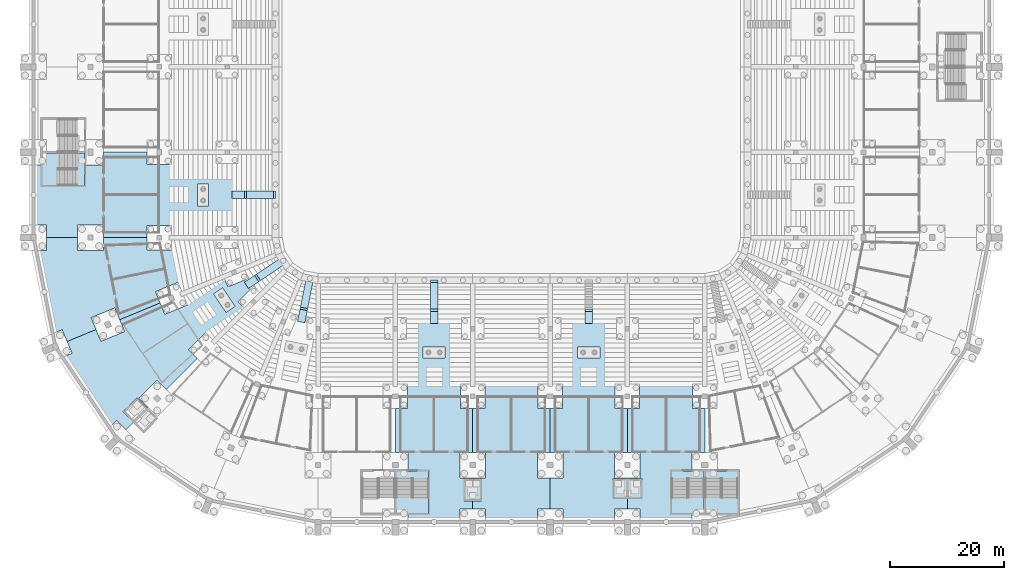
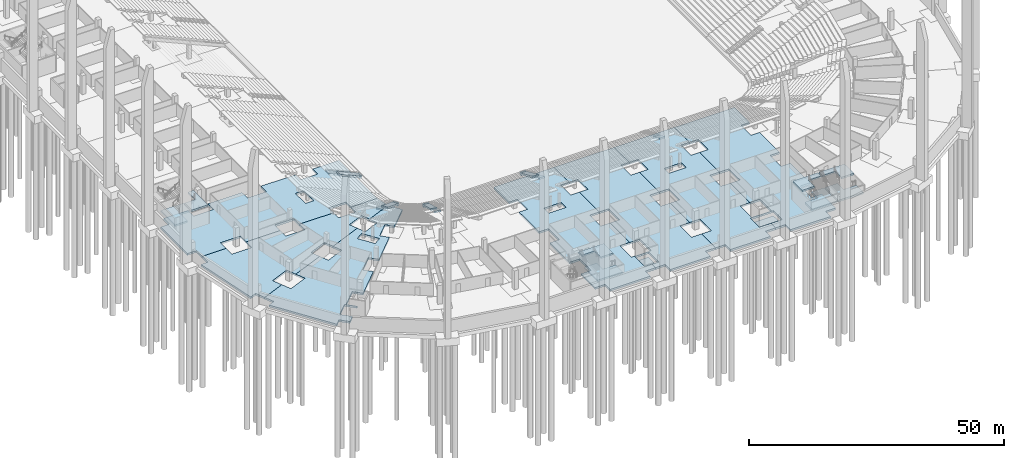
# One storey, part 16 of 115: 26 slabs, 4 elements without a shape of their own.
"""IFC4 building model written with IfcOpenShell, lengths in metres."""

from ifc_helpers import new_model, si_unit, direction, frame, origin, place, context, subcontext, project, spatial, polyline, outline, extrude, material, layer, layer_set, type_object, element, aggregate, save


model = new_model("IFC4")

# Units and contexts
model_context = context("Model", 3, precision=1e-05, world=origin(), true_north=direction((0.0, 1.0)))
body_context = subcontext(model_context, "Body", "Model", "MODEL_VIEW")
ifc_project = project(units=[si_unit("LENGTHUNIT", "METRE"), si_unit("AREAUNIT", "SQUARE_METRE"), si_unit("VOLUMEUNIT", "CUBIC_METRE"), si_unit("PLANEANGLEUNIT", "RADIAN"), si_unit("MASSUNIT", "GRAM", prefix="KILO")], contexts=[model_context])

# Site, building, storey
site_placement = place(None, origin())
site = spatial("IfcSite", under=ifc_project, at=site_placement, CompositionType="ELEMENT")
building_placement = place(site_placement, origin())
building = spatial("IfcBuilding", under=site, at=building_placement, Name="Ogive Plaza Stadium", CompositionType="ELEMENT")
storey_placement = place(building_placement, frame((0.0, 0.0, -4.5)))
storey = spatial("IfcBuildingStorey", under=building, at=storey_placement, Name="B1", CompositionType="ELEMENT", Elevation=-4.5)

# Slabs
ifc_material_1 = material(Name="Concrete C40/50", Category="concrete")
ifc_layer_1 = layer(ifc_material_1, 0.5380859375)
ifc_layer_set_1 = layer_set([ifc_layer_1], Name="Concrete C40/50")
ifc_layer_2 = layer(ifc_material_1, 0.449951171875)
ifc_layer_set_2 = layer_set([ifc_layer_2], Name="Concrete C40/50")
slab_type_1 = type_object("IfcSlabType", Name="Aisle stair slab 1300", PredefinedType="USERDEFINED", material=ifc_layer_set_2)
slab_1_placement = place(storey_placement, frame((13.60009765625, -65.10009765625, 4.5), z_axis=(0.0, 0.0, 1.0), x_axis=(0.0, -1.0, 0.0)))
element("IfcSlab", 1, at=slab_1_placement, inside=storey, type_object=slab_type_1, material=ifc_layer_set_1, Name="Aisle stair SA13D slab 2", ObjectType="AISLE STAIR SLAB", PredefinedType="USERDEFINED", context=body_context, shape_type="SweptSolid", body=[
    extrude(outline(polyline([(0.0, -1.125), (0.37158203125, -1.125), (2.550048828125, -0.163818359375), (2.550048828125, -0.574951171875), (2.39990234375, -0.64111328125), (2.25, -0.70751953125), (2.10009765625, -0.7734375), (1.949951171875, -0.839599609375), (1.800048828125, -0.906005859375), (1.64990234375, -0.97216796875), (1.5, -1.0380859375), (1.35009765625, -1.1044921875), (1.199951171875, -1.170654296875), (1.050048828125, -1.23681640625), (0.89990234375, -1.302978515625), (0.75, -1.369140625), (0.60009765625, -1.435302734375), (0.449951171875, -1.50146484375), (0.300048828125, -1.567626953125), (0.14990234375, -1.6337890625), (0.0, -1.699951171875), (0.0, -1.125)])), frame((0.0, 0.64990234375, 0.0), z_axis=(0.0, -1.0, 0.0), x_axis=(1.0, 0.0, 0.0)), (0.0, 0.0, 1.0), 1.300048828125),
])
ifc_layer_3 = layer(ifc_material_1, 0.75927734375)
ifc_layer_set_3 = layer_set([ifc_layer_3], Name="Concrete C40/50")
slab_2_placement = place(storey_placement, frame((-13.60009765625, -60.0, 4.5), z_axis=(0.0, 0.0, 1.0), x_axis=(0.0, -1.0, 0.0)))
element("IfcSlab", 2, at=slab_2_placement, inside=storey, type_object=slab_type_1, material=ifc_layer_set_3, Name="Aisle stair SA15D slab 1", ObjectType="AISLE STAIR SLAB", PredefinedType="USERDEFINED", context=body_context, shape_type="SweptSolid", body=[
    extrude(outline(polyline([(0.0, -3.375), (0.37158203125, -3.375), (5.10009765625, -1.288818359375), (5.10009765625, -1.699951171875), (5.01220703125, -1.73876953125), (4.8623046875, -1.804931640625), (4.71240234375, -1.87109375), (4.562255859375, -1.937255859375), (4.412353515625, -2.00341796875), (4.26220703125, -2.069580078125), (4.1123046875, -2.1357421875), (3.96240234375, -2.201904296875), (3.812255859375, -2.26806640625), (3.662353515625, -2.334228515625), (3.51220703125, -2.400390625), (3.3623046875, -2.466552734375), (3.21240234375, -2.53271484375), (3.062255859375, -2.59912109375), (2.912353515625, -2.665283203125), (2.76220703125, -2.731201171875), (2.6123046875, -2.797607421875), (2.46240234375, -2.86376953125), (2.312255859375, -2.929931640625), (2.162353515625, -2.99609375), (2.01220703125, -3.062255859375), (1.8623046875, -3.12841796875), (1.71240234375, -3.194580078125), (1.562255859375, -3.2607421875), (1.412353515625, -3.326904296875), (1.26220703125, -3.39306640625), (1.1123046875, -3.459228515625), (0.96240234375, -3.525390625), (0.812255859375, -3.591552734375), (0.662353515625, -3.65771484375), (0.60009765625, -3.685302734375), (0.60009765625, -3.949951171875), (0.51220703125, -3.949951171875), (0.3623046875, -3.949951171875), (0.21240234375, -3.949951171875), (0.0, -3.375)])), frame((0.0, 0.64990234375, 0.0), z_axis=(0.0, -1.0, 0.0), x_axis=(1.0, 0.0, 0.0)), (0.0, 0.0, 1.0), 1.300048828125),
])
slab_3_placement = place(storey_placement, frame((-13.60009765625, -65.10009765625, 4.5), z_axis=(0.0, 0.0, 1.0), x_axis=(0.0, -1.0, 0.0)))
element("IfcSlab", 3, at=slab_3_placement, inside=storey, type_object=slab_type_1, material=ifc_layer_set_1, Name="Aisle stair SA15D slab 2", ObjectType="AISLE STAIR SLAB", PredefinedType="USERDEFINED", context=body_context, shape_type="SweptSolid", body=[
    extrude(outline(polyline([(0.0, -1.125), (0.37158203125, -1.125), (2.550048828125, -0.163818359375), (2.550048828125, -0.574951171875), (2.39990234375, -0.64111328125), (2.25, -0.70751953125), (2.10009765625, -0.7734375), (1.949951171875, -0.839599609375), (1.800048828125, -0.906005859375), (1.64990234375, -0.97216796875), (1.5, -1.0380859375), (1.35009765625, -1.1044921875), (1.199951171875, -1.170654296875), (1.050048828125, -1.23681640625), (0.89990234375, -1.302978515625), (0.75, -1.369140625), (0.60009765625, -1.435302734375), (0.449951171875, -1.50146484375), (0.300048828125, -1.567626953125), (0.14990234375, -1.6337890625), (0.0, -1.699951171875), (0.0, -1.125)])), frame((0.0, 0.64990234375, 0.0), z_axis=(0.0, -1.0, 0.0), x_axis=(1.0, 0.0, 0.0)), (0.0, 0.0, 1.0), 1.300048828125),
])
slab_4_placement = place(storey_placement, frame((-35.463134765625, -59.85595703125, 4.5), z_axis=(0.0, 0.0, 1.0), x_axis=(-0.195090322016, -0.980785280403, 0.0)))
element("IfcSlab", 4, at=slab_4_placement, inside=storey, type_object=slab_type_1, material=ifc_layer_set_3, Name="Aisle stair SA17D slab 1", ObjectType="AISLE STAIR SLAB", PredefinedType="USERDEFINED", context=body_context, shape_type="SweptSolid", body=[
    extrude(outline(polyline([(0.0, -3.375), (0.37158203125, -3.375), (5.10009765625, -1.288818359375), (5.10009765625, -1.699951171875), (5.01220703125, -1.73876953125), (4.8623046875, -1.804931640625), (4.71240234375, -1.87109375), (4.562255859375, -1.937255859375), (4.412353515625, -2.00341796875), (4.26220703125, -2.069580078125), (4.1123046875, -2.1357421875), (3.96240234375, -2.201904296875), (3.812255859375, -2.26806640625), (3.662353515625, -2.334228515625), (3.51220703125, -2.400390625), (3.3623046875, -2.466552734375), (3.21240234375, -2.53271484375), (3.062255859375, -2.59912109375), (2.912353515625, -2.665283203125), (2.76220703125, -2.731201171875), (2.6123046875, -2.797607421875), (2.46240234375, -2.86376953125), (2.312255859375, -2.929931640625), (2.162353515625, -2.99609375), (2.01220703125, -3.062255859375), (1.8623046875, -3.12841796875), (1.71240234375, -3.194580078125), (1.562255859375, -3.2607421875), (1.412353515625, -3.326904296875), (1.26220703125, -3.39306640625), (1.1123046875, -3.459228515625), (0.96240234375, -3.525390625), (0.812255859375, -3.591552734375), (0.662353515625, -3.65771484375), (0.60009765625, -3.685302734375), (0.60009765625, -3.949951171875), (0.51220703125, -3.949951171875), (0.3623046875, -3.949951171875), (0.21240234375, -3.949951171875), (0.0, -3.375)])), frame((0.0, 0.64990234375, 0.0), z_axis=(0.0, -1.0, 0.0), x_axis=(1.0, 0.0, 0.0)), (0.0, 0.0, 1.0), 1.300048828125),
])
slab_5_placement = place(storey_placement, frame((-36.458251953125, -64.85791015625, 4.5), z_axis=(0.0, 0.0, 1.0), x_axis=(-0.195090322016, -0.980785280403, 0.0)))
element("IfcSlab", 5, at=slab_5_placement, inside=storey, type_object=slab_type_1, material=ifc_layer_set_1, Name="Aisle stair SA17D slab 2", ObjectType="AISLE STAIR SLAB", PredefinedType="USERDEFINED", context=body_context, shape_type="SweptSolid", body=[
    extrude(outline(polyline([(0.0, -1.125), (0.37158203125, -1.125), (2.550048828125, -0.163818359375), (2.550048828125, -0.574951171875), (2.39990234375, -0.64111328125), (2.25, -0.70751953125), (2.10009765625, -0.7734375), (1.949951171875, -0.839599609375), (1.800048828125, -0.906005859375), (1.64990234375, -0.97216796875), (1.5, -1.0380859375), (1.35009765625, -1.1044921875), (1.199951171875, -1.170654296875), (1.050048828125, -1.23681640625), (0.89990234375, -1.302978515625), (0.75, -1.369140625), (0.60009765625, -1.435302734375), (0.449951171875, -1.50146484375), (0.300048828125, -1.567626953125), (0.14990234375, -1.6337890625), (0.0, -1.699951171875), (0.0, -1.125)])), frame((0.0, 0.64990234375, 0.0), z_axis=(0.0, -1.0, 0.0), x_axis=(1.0, 0.0, 0.0)), (0.0, 0.0, 1.0), 1.300048828125),
])
slab_6_placement = place(storey_placement, frame((-40.236083984375, -56.666748046875, 4.5), z_axis=(0.0, 0.0, 1.0), x_axis=(-0.831469612303, -0.55557023302, 0.0)))
element("IfcSlab", 6, at=slab_6_placement, inside=storey, type_object=slab_type_1, material=ifc_layer_set_3, Name="Aisle stair SA19D slab 1", ObjectType="AISLE STAIR SLAB", PredefinedType="USERDEFINED", context=body_context, shape_type="SweptSolid", body=[
    extrude(outline(polyline([(0.0, -3.375), (0.37158203125, -3.375), (5.10009765625, -1.288818359375), (5.10009765625, -1.699951171875), (5.01220703125, -1.73876953125), (4.8623046875, -1.804931640625), (4.71240234375, -1.87109375), (4.562255859375, -1.937255859375), (4.412353515625, -2.00341796875), (4.26220703125, -2.069580078125), (4.1123046875, -2.1357421875), (3.96240234375, -2.201904296875), (3.812255859375, -2.26806640625), (3.662353515625, -2.334228515625), (3.51220703125, -2.400390625), (3.3623046875, -2.466552734375), (3.21240234375, -2.53271484375), (3.062255859375, -2.59912109375), (2.912353515625, -2.665283203125), (2.76220703125, -2.731201171875), (2.6123046875, -2.797607421875), (2.46240234375, -2.86376953125), (2.312255859375, -2.929931640625), (2.162353515625, -2.99609375), (2.01220703125, -3.062255859375), (1.8623046875, -3.12841796875), (1.71240234375, -3.194580078125), (1.562255859375, -3.2607421875), (1.412353515625, -3.326904296875), (1.26220703125, -3.39306640625), (1.1123046875, -3.459228515625), (0.96240234375, -3.525390625), (0.812255859375, -3.591552734375), (0.662353515625, -3.65771484375), (0.60009765625, -3.685302734375), (0.60009765625, -3.949951171875), (0.51220703125, -3.949951171875), (0.3623046875, -3.949951171875), (0.21240234375, -3.949951171875), (0.0, -3.375)])), frame((0.0, 0.64990234375, 0.0), z_axis=(0.0, -1.0, 0.0), x_axis=(1.0, 0.0, 0.0)), (0.0, 0.0, 1.0), 1.300048828125),
])
slab_7_placement = place(storey_placement, frame((-44.4765625, -59.500244140625, 4.5), z_axis=(0.0, 0.0, 1.0), x_axis=(-0.831469612303, -0.55557023302, 0.0)))
element("IfcSlab", 7, at=slab_7_placement, inside=storey, type_object=slab_type_1, material=ifc_layer_set_1, Name="Aisle stair SA19D slab 2", ObjectType="AISLE STAIR SLAB", PredefinedType="USERDEFINED", context=body_context, shape_type="SweptSolid", body=[
    extrude(outline(polyline([(0.0, -1.125), (0.37158203125, -1.125), (2.550048828125, -0.163818359375), (2.550048828125, -0.574951171875), (2.39990234375, -0.64111328125), (2.25, -0.70751953125), (2.10009765625, -0.7734375), (1.949951171875, -0.839599609375), (1.800048828125, -0.906005859375), (1.64990234375, -0.97216796875), (1.5, -1.0380859375), (1.35009765625, -1.1044921875), (1.199951171875, -1.170654296875), (1.050048828125, -1.23681640625), (0.89990234375, -1.302978515625), (0.75, -1.369140625), (0.60009765625, -1.435302734375), (0.449951171875, -1.50146484375), (0.300048828125, -1.567626953125), (0.14990234375, -1.6337890625), (0.0, -1.699951171875), (0.0, -1.125)])), frame((0.0, 0.64990234375, 0.0), z_axis=(0.0, -1.0, 0.0), x_axis=(1.0, 0.0, 0.0)), (0.0, 0.0, 1.0), 1.300048828125),
])
slab_8_placement = place(storey_placement, frame((-41.5, -45.0, 4.5), z_axis=(0.0, 0.0, 1.0), x_axis=(-1.0, 0.0, 0.0)))
element("IfcSlab", 8, at=slab_8_placement, inside=storey, type_object=slab_type_1, material=ifc_layer_set_3, Name="Aisle stair SA21D slab 1", ObjectType="AISLE STAIR SLAB", PredefinedType="USERDEFINED", context=body_context, shape_type="SweptSolid", body=[
    extrude(outline(polyline([(0.0, -3.375), (0.37158203125, -3.375), (5.10009765625, -1.288818359375), (5.10009765625, -1.699951171875), (5.01220703125, -1.73876953125), (4.8623046875, -1.804931640625), (4.71240234375, -1.87109375), (4.562255859375, -1.937255859375), (4.412353515625, -2.00341796875), (4.26220703125, -2.069580078125), (4.1123046875, -2.1357421875), (3.96240234375, -2.201904296875), (3.812255859375, -2.26806640625), (3.662353515625, -2.334228515625), (3.51220703125, -2.400390625), (3.3623046875, -2.466552734375), (3.21240234375, -2.53271484375), (3.062255859375, -2.59912109375), (2.912353515625, -2.665283203125), (2.76220703125, -2.731201171875), (2.6123046875, -2.797607421875), (2.46240234375, -2.86376953125), (2.312255859375, -2.929931640625), (2.162353515625, -2.99609375), (2.01220703125, -3.062255859375), (1.8623046875, -3.12841796875), (1.71240234375, -3.194580078125), (1.562255859375, -3.2607421875), (1.412353515625, -3.326904296875), (1.26220703125, -3.39306640625), (1.1123046875, -3.459228515625), (0.96240234375, -3.525390625), (0.812255859375, -3.591552734375), (0.662353515625, -3.65771484375), (0.60009765625, -3.685302734375), (0.60009765625, -3.949951171875), (0.51220703125, -3.949951171875), (0.3623046875, -3.949951171875), (0.21240234375, -3.949951171875), (0.0, -3.375)])), frame((0.0, 0.64990234375, 0.0), z_axis=(0.0, -1.0, 0.0), x_axis=(1.0, 0.0, 0.0)), (0.0, 0.0, 1.0), 1.300048828125),
])
slab_9_placement = place(storey_placement, frame((-46.60009765625, -45.0, 4.5), z_axis=(0.0, 0.0, 1.0), x_axis=(-1.0, 0.0, 0.0)))
element("IfcSlab", 9, at=slab_9_placement, inside=storey, type_object=slab_type_1, material=ifc_layer_set_1, Name="Aisle stair SA21D slab 2", ObjectType="AISLE STAIR SLAB", PredefinedType="USERDEFINED", context=body_context, shape_type="SweptSolid", body=[
    extrude(outline(polyline([(0.0, -1.125), (0.37158203125, -1.125), (2.550048828125, -0.163818359375), (2.550048828125, -0.574951171875), (2.39990234375, -0.64111328125), (2.25, -0.70751953125), (2.10009765625, -0.7734375), (1.949951171875, -0.839599609375), (1.800048828125, -0.906005859375), (1.64990234375, -0.97216796875), (1.5, -1.0380859375), (1.35009765625, -1.1044921875), (1.199951171875, -1.170654296875), (1.050048828125, -1.23681640625), (0.89990234375, -1.302978515625), (0.75, -1.369140625), (0.60009765625, -1.435302734375), (0.449951171875, -1.50146484375), (0.300048828125, -1.567626953125), (0.14990234375, -1.6337890625), (0.0, -1.699951171875), (0.0, -1.125)])), frame((0.0, 0.64990234375, 0.0), z_axis=(0.0, -1.0, 0.0), x_axis=(1.0, 0.0, 0.0)), (0.0, 0.0, 1.0), 1.300048828125),
])
ifc_material_2 = material(Name="Concrete C40/50", Category="concrete")
ifc_layer_4 = layer(ifc_material_2, 0.39990234375)
ifc_layer_set_4 = layer_set([ifc_layer_4], Name="Concrete C40/50")
slab_type_2 = type_object("IfcSlabType", Name="Lift pit slab", PredefinedType="BASESLAB", material=ifc_layer_set_4)
slab_10_placement = place(storey_placement, frame((0.0, 0.0, -1.610107421875)))
element("IfcSlab", 10, at=slab_10_placement, inside=storey, type_object=slab_type_2, Name="Lift pit slab LP13", PredefinedType="BASESLAB", context=body_context, shape_type="SweptSolid", body=[
    extrude(outline(polyline([(17.824951171875, -94.89990234375), (17.824951171875, -98.39990234375), (22.97509765625, -98.39990234375), (22.97509765625, -94.89990234375), (17.824951171875, -94.89990234375)])), origin(), (0.0, 0.0, 1.0), 0.41015625),
])
slab_11_placement = place(storey_placement, frame((0.0, 0.0, -1.610107421875)))
element("IfcSlab", 11, at=slab_11_placement, inside=storey, type_object=slab_type_2, Name="Lift pit slab LS15", PredefinedType="BASESLAB", context=body_context, shape_type="SweptSolid", body=[
    extrude(outline(polyline([(-8.35009765625, -94.89990234375), (-8.35009765625, -98.800048828125), (-5.25, -98.800048828125), (-5.25, -94.89990234375), (-8.35009765625, -94.89990234375)])), origin(), (0.0, 0.0, 1.0), 0.41015625),
])
ifc_material_3 = material(Name="Concrete C40/50", Category="concrete")
ifc_layer_5 = layer(ifc_material_3, 0.449951171875)
ifc_layer_set_5 = layer_set([ifc_layer_5], Name="Concrete C40/50")
slab_type_3 = type_object("IfcSlabType", Name="RC ground slab 450", PredefinedType="BASESLAB", material=ifc_layer_set_5)
slab_12_placement = place(storey_placement, frame((0.0, 0.0, -0.39990234375)))
element("IfcSlab", 12, at=slab_12_placement, inside=storey, type_object=slab_type_3, Name="Ground slab B1 B12", PredefinedType="BASESLAB", context=body_context, shape_type="SweptSolid", body=[
    extrude(outline(polyline([(20.39990234375, -66.550048828125), (22.35009765625, -66.550048828125), (22.35009765625, -70.449951171875), (20.39990234375, -70.449951171875), (20.39990234375, -78.25), (22.550048828125, -78.25), (22.550048828125, -82.550048828125), (20.39990234375, -82.550048828125), (20.39990234375, -90.25), (22.64990234375, -90.25), (22.64990234375, -94.75), (20.39990234375, -94.75), (20.39990234375, -94.89990234375), (22.97509765625, -94.89990234375), (22.97509765625, -98.39990234375), (20.39990234375, -98.39990234375), (20.39990234375, -100.25), (22.64990234375, -100.25), (22.64990234375, -102.25), (31.75, -102.25), (31.75, -100.25), (34.0, -100.25), (34.0, -94.75), (31.75, -94.75), (31.75, -90.25), (34.0, -90.25), (34.0, -82.550048828125), (31.85009765625, -82.550048828125), (31.85009765625, -78.25), (34.0, -78.25), (34.0, -70.449951171875), (32.050048828125, -70.449951171875), (32.050048828125, -66.550048828125), (34.0, -66.550048828125), (34.0, -60.60009765625), (20.39990234375, -60.60009765625), (20.39990234375, -66.550048828125)])), origin(), (0.0, 0.0, 1.0), 0.449951171875),
])
slab_13_placement = place(storey_placement, frame((0.0, 0.0, -0.39990234375)))
element("IfcSlab", 13, at=slab_13_placement, inside=storey, type_object=slab_type_3, Name="Ground slab B1 B13", PredefinedType="BASESLAB", context=body_context, shape_type="SweptSolid", body=[
    extrude(outline(polyline([(6.800048828125, -66.550048828125), (8.75, -66.550048828125), (8.75, -70.449951171875), (6.800048828125, -70.449951171875), (6.800048828125, -78.25), (8.949951171875, -78.25), (8.949951171875, -82.550048828125), (6.800048828125, -82.550048828125), (6.800048828125, -90.25), (9.050048828125, -90.25), (9.050048828125, -94.75), (6.800048828125, -94.75), (6.800048828125, -100.25), (9.050048828125, -100.25), (9.050048828125, -102.25), (18.14990234375, -102.25), (18.14990234375, -100.25), (20.39990234375, -100.25), (20.39990234375, -98.39990234375), (17.824951171875, -98.39990234375), (17.824951171875, -94.89990234375), (20.39990234375, -94.89990234375), (20.39990234375, -94.75), (18.14990234375, -94.75), (18.14990234375, -90.25), (20.39990234375, -90.25), (20.39990234375, -82.550048828125), (18.25, -82.550048828125), (18.25, -78.25), (20.39990234375, -78.25), (20.39990234375, -70.449951171875), (18.449951171875, -70.449951171875), (18.449951171875, -66.550048828125), (20.39990234375, -66.550048828125), (20.39990234375, -60.60009765625), (6.800048828125, -60.60009765625), (6.800048828125, -66.550048828125)]), holes=[polyline([(15.550048828125, -73.64990234375), (15.550048828125, -71.75), (11.64990234375, -71.75), (11.64990234375, -73.64990234375), (15.550048828125, -73.64990234375)])]), origin(), (0.0, 0.0, 1.0), 0.449951171875),
])
slab_14_placement = place(storey_placement, frame((0.0, 0.0, -0.39990234375)))
element("IfcSlab", 14, at=slab_14_placement, inside=storey, type_object=slab_type_3, Name="Ground slab B1 B14", PredefinedType="BASESLAB", context=body_context, shape_type="SweptSolid", body=[
    extrude(outline(polyline([(-6.800048828125, -66.550048828125), (-4.85009765625, -66.550048828125), (-4.85009765625, -70.449951171875), (-6.800048828125, -70.449951171875), (-6.800048828125, -78.25), (-4.64990234375, -78.25), (-4.64990234375, -82.550048828125), (-6.800048828125, -82.550048828125), (-6.800048828125, -90.25), (-4.550048828125, -90.25), (-4.550048828125, -94.75), (-6.800048828125, -94.75), (-6.800048828125, -94.89990234375), (-5.25, -94.89990234375), (-5.25, -98.800048828125), (-6.800048828125, -98.800048828125), (-6.800048828125, -100.25), (-4.550048828125, -100.25), (-4.550048828125, -102.25), (4.550048828125, -102.25), (4.550048828125, -100.25), (6.800048828125, -100.25), (6.800048828125, -94.75), (4.550048828125, -94.75), (4.550048828125, -90.25), (6.800048828125, -90.25), (6.800048828125, -82.550048828125), (4.64990234375, -82.550048828125), (4.64990234375, -78.25), (6.800048828125, -78.25), (6.800048828125, -70.449951171875), (4.85009765625, -70.449951171875), (4.85009765625, -66.550048828125), (6.800048828125, -66.550048828125), (6.800048828125, -60.60009765625), (-6.800048828125, -60.60009765625), (-6.800048828125, -66.550048828125)])), origin(), (0.0, 0.0, 1.0), 0.449951171875),
])
slab_15_placement = place(storey_placement, frame((0.0, 0.0, -0.39990234375)))
element("IfcSlab", 15, at=slab_15_placement, inside=storey, type_object=slab_type_3, Name="Ground slab B1 B15", PredefinedType="BASESLAB", context=body_context, shape_type="SweptSolid", body=[
    extrude(outline(polyline([(-20.39990234375, -66.550048828125), (-18.449951171875, -66.550048828125), (-18.449951171875, -70.449951171875), (-20.39990234375, -70.449951171875), (-20.39990234375, -78.25), (-18.25, -78.25), (-18.25, -82.550048828125), (-20.39990234375, -82.550048828125), (-20.39990234375, -90.25), (-18.14990234375, -90.25), (-18.14990234375, -94.75), (-20.39990234375, -94.75), (-20.39990234375, -100.25), (-18.14990234375, -100.25), (-18.14990234375, -102.25), (-9.050048828125, -102.25), (-9.050048828125, -100.25), (-6.800048828125, -100.25), (-6.800048828125, -98.800048828125), (-8.35009765625, -98.800048828125), (-8.35009765625, -94.89990234375), (-6.800048828125, -94.89990234375), (-6.800048828125, -94.75), (-9.050048828125, -94.75), (-9.050048828125, -90.25), (-6.800048828125, -90.25), (-6.800048828125, -82.550048828125), (-8.949951171875, -82.550048828125), (-8.949951171875, -78.25), (-6.800048828125, -78.25), (-6.800048828125, -70.449951171875), (-8.75, -70.449951171875), (-8.75, -66.550048828125), (-6.800048828125, -66.550048828125), (-6.800048828125, -60.60009765625), (-20.39990234375, -60.60009765625), (-20.39990234375, -66.550048828125)]), holes=[polyline([(-11.64990234375, -73.64990234375), (-11.64990234375, -71.75), (-15.550048828125, -71.75), (-15.550048828125, -73.64990234375), (-11.64990234375, -73.64990234375)])]), origin(), (0.0, 0.0, 1.0), 0.449951171875),
])
slab_16_placement = place(storey_placement, frame((0.0, 0.0, -0.39990234375)))
element("IfcSlab", 16, at=slab_16_placement, inside=storey, type_object=slab_type_3, Name="Ground slab B1 B19", PredefinedType="BASESLAB", context=body_context, shape_type="SweptSolid", body=[
    extrude(outline(polyline([(-46.98046875, -57.876708984375), (-46.234375, -59.67822265625), (-49.83740234375, -61.170654296875), (-50.583740234375, -59.369140625), (-57.789794921875, -62.35400390625), (-56.967041015625, -64.34033203125), (-60.939697265625, -65.986083984375), (-61.7626953125, -63.999755859375), (-68.87646484375, -66.9462890625), (-68.015380859375, -69.025146484375), (-72.1728515625, -70.7470703125), (-73.033935546875, -68.66845703125), (-78.115234375, -70.773193359375), (-77.254150390625, -72.851806640625), (-78.6884765625, -73.446044921875), (-70.453125, -85.77099609375), (-69.355224609375, -84.67333984375), (-67.764404296875, -86.264404296875), (-66.456298828125, -84.956298828125), (-68.277099609375, -83.135498046875), (-65.80224609375, -80.66064453125), (-63.9814453125, -82.4814453125), (-63.875244140625, -82.375244140625), (-65.46630859375, -80.7841796875), (-62.2841796875, -77.602294921875), (-60.693359375, -79.193359375), (-55.24853515625, -73.74853515625), (-56.768798828125, -72.228271484375), (-53.728271484375, -69.187744140625), (-52.2080078125, -70.7080078125), (-46.692626953125, -65.192626953125), (-48.071533203125, -63.813720703125), (-45.313720703125, -61.055908203125), (-43.934814453125, -62.434814453125), (-39.7275390625, -58.2275390625), (-41.4833984375, -55.599853515625), (-46.98046875, -57.876708984375)]), holes=[polyline([(-50.179443359375, -65.656005859375), (-48.599609375, -64.600341796875), (-50.766357421875, -61.357666015625), (-52.34619140625, -62.413330078125), (-50.179443359375, -65.656005859375)])]), origin(), (0.0, 0.0, 1.0), 0.449951171875),
])
slab_17_placement = place(storey_placement, frame((0.0, 0.0, -0.39990234375)))
element("IfcSlab", 17, at=slab_17_placement, inside=storey, type_object=slab_type_3, Name="Ground slab B1 B20", PredefinedType="BASESLAB", context=body_context, shape_type="SweptSolid", body=[
    extrude(outline(polyline([(-48.050048828125, -52.5), (-48.050048828125, -54.449951171875), (-51.949951171875, -54.449951171875), (-51.949951171875, -52.5), (-59.75, -52.5), (-59.75, -54.64990234375), (-64.050048828125, -54.64990234375), (-64.050048828125, -52.5), (-71.75, -52.5), (-71.75, -54.75), (-76.25, -54.75), (-76.25, -52.5), (-81.75, -52.5), (-81.75, -54.75), (-83.302490234375, -54.75), (-80.41064453125, -69.28857421875), (-78.976318359375, -68.6943359375), (-78.115234375, -70.773193359375), (-73.033935546875, -68.66845703125), (-73.89501953125, -66.589599609375), (-69.737548828125, -64.86767578125), (-68.87646484375, -66.9462890625), (-61.7626953125, -63.999755859375), (-62.58544921875, -62.01318359375), (-58.612548828125, -60.36767578125), (-57.789794921875, -62.35400390625), (-50.583740234375, -59.369140625), (-51.329833984375, -57.567626953125), (-47.726806640625, -56.0751953125), (-46.98046875, -57.876708984375), (-41.4833984375, -55.599853515625), (-42.10009765625, -52.5), (-48.050048828125, -52.5)])), origin(), (0.0, 0.0, 1.0), 0.449951171875),
])
slab_18_placement = place(storey_placement, frame((0.0, 0.0, -0.39990234375)))
element("IfcSlab", 18, at=slab_18_placement, inside=storey, type_object=slab_type_3, Name="Ground slab B1 B21", PredefinedType="BASESLAB", context=body_context, shape_type="SweptSolid", body=[
    extrude(outline(polyline([(-48.050048828125, -37.5), (-48.050048828125, -39.449951171875), (-51.949951171875, -39.449951171875), (-51.949951171875, -37.5), (-59.75, -37.5), (-59.75, -39.64990234375), (-64.050048828125, -39.64990234375), (-64.050048828125, -37.5), (-71.75, -37.5), (-71.75, -39.75), (-76.25, -39.75), (-76.25, -37.5), (-81.75, -37.5), (-81.75, -39.75), (-83.75, -39.75), (-83.75, -50.25), (-81.75, -50.25), (-81.75, -52.5), (-76.25, -52.5), (-76.25, -50.25), (-71.75, -50.25), (-71.75, -52.5), (-64.050048828125, -52.5), (-64.050048828125, -50.35009765625), (-59.75, -50.35009765625), (-59.75, -52.5), (-51.949951171875, -52.5), (-51.949951171875, -50.550048828125), (-48.050048828125, -50.550048828125), (-48.050048828125, -52.5), (-42.10009765625, -52.5), (-42.10009765625, -37.5), (-48.050048828125, -37.5)]), holes=[polyline([(-55.14990234375, -46.949951171875), (-53.25, -46.949951171875), (-53.25, -43.050048828125), (-55.14990234375, -43.050048828125), (-55.14990234375, -46.949951171875)])]), origin(), (0.0, 0.0, 1.0), 0.449951171875),
])

# Stair, slabs
ifc_material_4 = material(Name="Concrete C40/50", Category="concrete")
stair_type = type_object("IfcStairType", Name="Exit stair", PredefinedType="STRAIGHT_RUN_STAIR", material=ifc_material_4)
stair_1_placement = place(storey_placement, origin())
stair_1 = element("IfcStair", 19, at=stair_1_placement, inside=storey, type_object=stair_type, Name="Exit stair ST12A B1 to L00", PredefinedType="STRAIGHT_RUN_STAIR")
ifc_material_5 = material(Name="Concrete C40/50", Category="concrete")
ifc_layer_6 = layer(ifc_material_5, 0.39990234375)
ifc_layer_set_6 = layer_set([ifc_layer_6], Name="Concrete C40/50")
slab_type_4 = type_object("IfcSlabType", Name="Stair landing", PredefinedType="LANDING", material=ifc_layer_set_6)
slab_19_placement = place(storey_placement, frame((0.0, 0.0, 1.85009765625)))
slab_19 = element("IfcSlab", 20, at=slab_19_placement, type_object=slab_type_4, Name="ST12A landing 1", PredefinedType="LANDING", context=body_context, shape_type="SweptSolid", body=[
    extrude(outline(polyline([(33.875, -101.010009765625), (28.175048828125, -101.010009765625), (28.175048828125, -98.2099609375), (31.074951171875, -98.2099609375), (31.074951171875, -95.81005859375), (33.875, -95.81005859375), (33.875, -98.2099609375), (33.875, -101.010009765625)])), origin(), (0.0, 0.0, 1.0), 0.39990234375),
])
slab_20_placement = place(storey_placement, frame((0.0, 0.0, 4.10009765625)))
slab_20 = element("IfcSlab", 21, at=slab_20_placement, type_object=slab_type_4, Name="ST12A landing 2", PredefinedType="LANDING", context=body_context, shape_type="SweptSolid", body=[
    extrude(outline(polyline([(30.97509765625, -97.25), (28.175048828125, -97.25), (28.175048828125, -94.85009765625), (28.175048828125, -93.550048828125), (33.875, -93.550048828125), (33.875, -94.85009765625), (30.97509765625, -94.85009765625), (30.97509765625, -97.25)])), origin(), (0.0, 0.0, 1.0), 0.39990234375),
])
aggregate(stair_1, [slab_19, slab_20])

stair_2_placement = place(storey_placement, origin())
stair_2 = element("IfcStair", 22, at=stair_2_placement, inside=storey, type_object=stair_type, Name="Exit stair ST12B B1 to L00", PredefinedType="STRAIGHT_RUN_STAIR")
slab_21_placement = place(storey_placement, frame((0.0, 0.0, 1.85009765625)))
slab_21 = element("IfcSlab", 23, at=slab_21_placement, type_object=slab_type_4, Name="ST12B landing 1", PredefinedType="LANDING", context=body_context, shape_type="SweptSolid", body=[
    extrude(outline(polyline([(34.125, -95.81005859375), (36.925048828125, -95.81005859375), (36.925048828125, -98.2099609375), (39.824951171875, -98.2099609375), (39.824951171875, -101.010009765625), (34.125, -101.010009765625), (34.125, -98.2099609375), (34.125, -95.81005859375)])), origin(), (0.0, 0.0, 1.0), 0.39990234375),
])
slab_22_placement = place(storey_placement, frame((0.0, 0.0, 4.10009765625)))
slab_22 = element("IfcSlab", 24, at=slab_22_placement, type_object=slab_type_4, Name="ST12B landing 2", PredefinedType="LANDING", context=body_context, shape_type="SweptSolid", body=[
    extrude(outline(polyline([(34.125, -94.85009765625), (34.125, -93.550048828125), (39.824951171875, -93.550048828125), (39.824951171875, -94.85009765625), (39.824951171875, -97.25), (37.02490234375, -97.25), (37.02490234375, -94.85009765625), (34.125, -94.85009765625)])), origin(), (0.0, 0.0, 1.0), 0.39990234375),
])
aggregate(stair_2, [slab_21, slab_22])

stair_3_placement = place(storey_placement, origin())
stair_3 = element("IfcStair", 25, at=stair_3_placement, inside=storey, type_object=stair_type, Name="Exit stair ST16B B1 to L00", PredefinedType="STRAIGHT_RUN_STAIR")
slab_23_placement = place(storey_placement, frame((0.0, 0.0, 1.85009765625)))
slab_23 = element("IfcSlab", 26, at=slab_23_placement, type_object=slab_type_4, Name="ST16B landing 1", PredefinedType="LANDING", context=body_context, shape_type="SweptSolid", body=[
    extrude(outline(polyline([(-20.27490234375, -95.81005859375), (-17.47509765625, -95.81005859375), (-17.47509765625, -98.2099609375), (-14.574951171875, -98.2099609375), (-14.574951171875, -101.010009765625), (-20.27490234375, -101.010009765625), (-20.27490234375, -98.2099609375), (-20.27490234375, -95.81005859375)])), origin(), (0.0, 0.0, 1.0), 0.39990234375),
])
slab_24_placement = place(storey_placement, frame((0.0, 0.0, 4.10009765625)))
slab_24 = element("IfcSlab", 27, at=slab_24_placement, type_object=slab_type_4, Name="ST16B landing 2", PredefinedType="LANDING", context=body_context, shape_type="SweptSolid", body=[
    extrude(outline(polyline([(-20.27490234375, -94.85009765625), (-20.27490234375, -93.550048828125), (-14.574951171875, -93.550048828125), (-14.574951171875, -94.85009765625), (-14.574951171875, -97.25), (-17.375, -97.25), (-17.375, -94.85009765625), (-20.27490234375, -94.85009765625)])), origin(), (0.0, 0.0, 1.0), 0.39990234375),
])
aggregate(stair_3, [slab_23, slab_24])

stair_4_placement = place(storey_placement, origin())
stair_4 = element("IfcStair", 28, at=stair_4_placement, inside=storey, type_object=stair_type, Name="Exit stair ST22B B1 to L00", PredefinedType="STRAIGHT_RUN_STAIR")
slab_25_placement = place(storey_placement, frame((0.0, 0.0, 1.85009765625)))
slab_25 = element("IfcSlab", 29, at=slab_25_placement, type_object=slab_type_4, Name="ST22B landing 1", PredefinedType="LANDING", context=body_context, shape_type="SweptSolid", body=[
    extrude(outline(polyline([(-77.31005859375, -37.625), (-77.31005859375, -40.425048828125), (-79.7099609375, -40.425048828125), (-79.7099609375, -43.324951171875), (-82.510009765625, -43.324951171875), (-82.510009765625, -37.625), (-79.7099609375, -37.625), (-77.31005859375, -37.625)])), origin(), (0.0, 0.0, 1.0), 0.39990234375),
])
slab_26_placement = place(storey_placement, frame((0.0, 0.0, 4.10009765625)))
slab_26 = element("IfcSlab", 30, at=slab_26_placement, type_object=slab_type_4, Name="ST22B landing 2", PredefinedType="LANDING", context=body_context, shape_type="SweptSolid", body=[
    extrude(outline(polyline([(-76.35009765625, -37.625), (-75.050048828125, -37.625), (-75.050048828125, -43.324951171875), (-76.35009765625, -43.324951171875), (-78.75, -43.324951171875), (-78.75, -40.52490234375), (-76.35009765625, -40.52490234375), (-76.35009765625, -37.625)])), origin(), (0.0, 0.0, 1.0), 0.39990234375),
])
aggregate(stair_4, [slab_25, slab_26])

save(model, "model.ifc")
